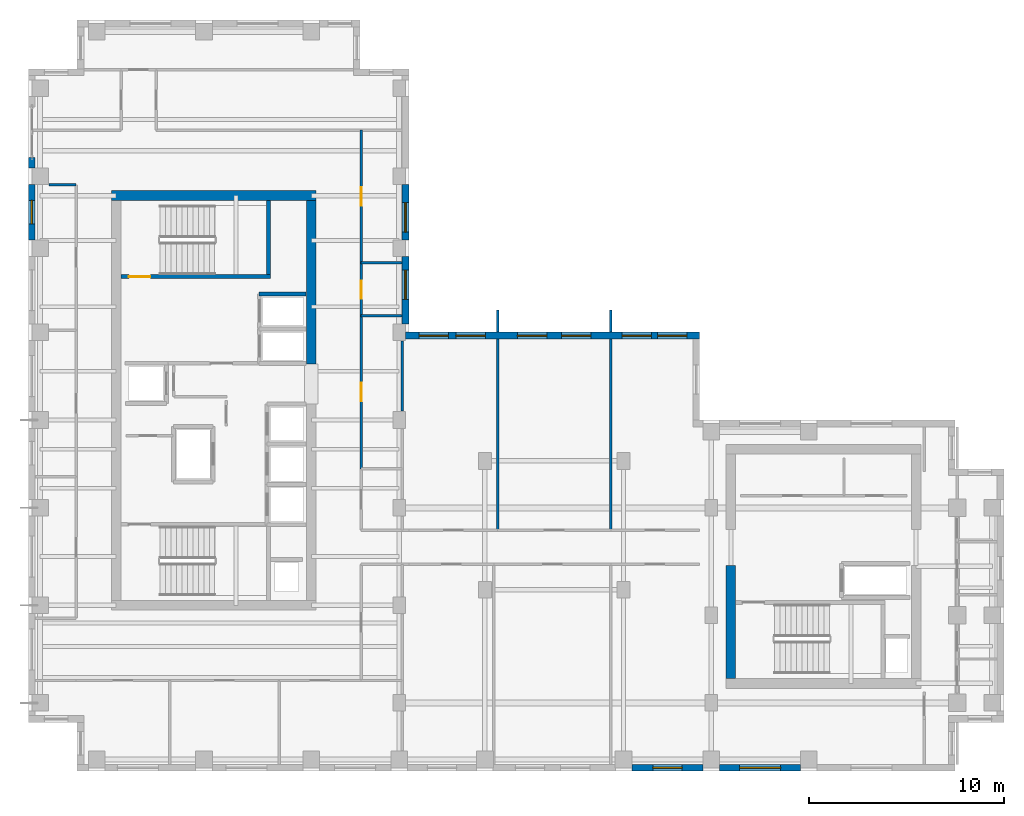
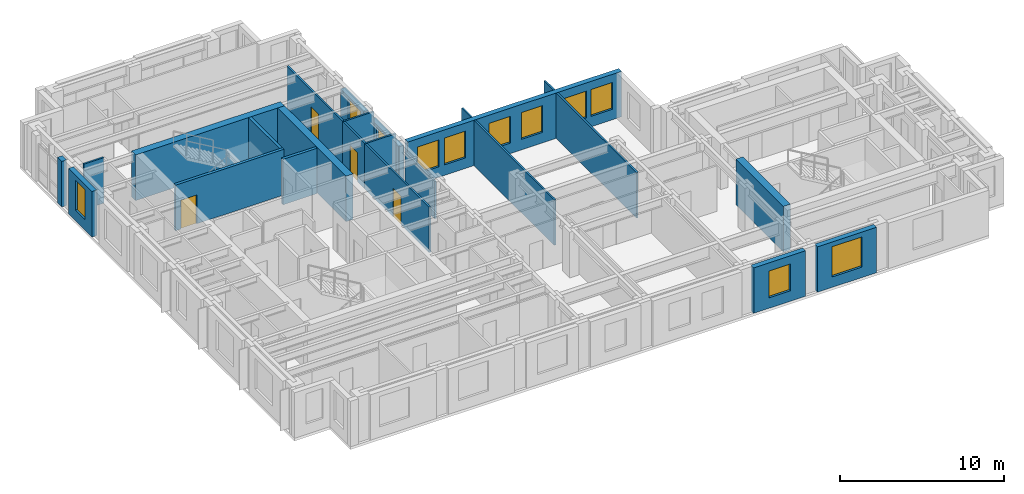
# One storey, part 8 of 13: 24 walls, 11 windows, 4 doors, 15 openings.
"""IFC4 building model written with IfcOpenShell, lengths in metres."""

from ifc_helpers import new_model, si_unit, direction, frame, frame_2d, origin, place, context, subcontext, project, spatial, rectangle, extrude, source, transform, mapped, material, layer, layer_set, type_object, element, fill, save


model = new_model("IFC4")

# Units and contexts
model_context = context("Model", 3, precision=1e-05, world=origin(), true_north=direction((0.0, 1.0)))
body_context = subcontext(model_context, "Body", "Model", "MODEL_VIEW")
ifc_project = project(units=[si_unit("LENGTHUNIT", "METRE"), si_unit("AREAUNIT", "SQUARE_METRE"), si_unit("VOLUMEUNIT", "CUBIC_METRE"), si_unit("PLANEANGLEUNIT", "RADIAN"), si_unit("MASSUNIT", "GRAM", prefix="KILO")], contexts=[model_context])

# Site, building, storey
site_placement = place(None, origin())
site = spatial("IfcSite", under=ifc_project, at=site_placement, CompositionType="ELEMENT")
building_placement = place(site_placement, origin())
building = spatial("IfcBuilding", under=site, at=building_placement, Name="Kharzan Plaza Tower", CompositionType="ELEMENT")
storey_placement = place(building_placement, frame((0.0, 0.0, 252.0)))
storey = spatial("IfcBuildingStorey", under=building, at=storey_placement, Name="L68", CompositionType="ELEMENT", Elevation=252.0)

# Wall, openings, windows
ifc_material_1 = material(Name="Concrete C40/50", Category="concrete")
ifc_layer_1 = layer(ifc_material_1, 0.35009765625)
ifc_layer_set_1 = layer_set([ifc_layer_1], Name="Concrete C40/50")
wall_type_1 = type_object("IfcWallType", Name="WL-EXT-MAS-Z4", PredefinedType="SOLIDWALL", material=ifc_layer_set_1)
wall_1_placement = place(storey_placement, frame((34.39990234375, 22.324951171875, 0.0), z_axis=(0.0, 0.0, 1.0), x_axis=(-1.0, 0.0, 0.0)))
wall_1 = element("IfcWall", 1, at=wall_1_placement, inside=storey, type_object=wall_type_1, Name="L68 Masonry-Frame Exterior Wall 01", PredefinedType="SOLIDWALL", context=body_context, shape_type="SweptSolid", body=[
    extrude(rectangle(XDim=15.076904296875, YDim=0.35009765625, at=frame_2d((7.53857421875, 0.0))), origin(), (0.0, 0.0, 1.0), 3.385009765625),
])
opening_1_placement = place(wall_1_placement, frame((0.646728515625, 0.0, 0.780029296875)))
opening_1 = element("IfcOpeningElement", 2, at=opening_1_placement, cuts=wall_1, Name="Opening W5", PredefinedType="OPENING", context=body_context, shape_type="SweptSolid", body=[
    extrude(rectangle(XDim=1.5, YDim=2.0, at=frame_2d((0.75, 1.0))), frame((0.0, 0.18505859375, 0.0), z_axis=(0.0, -1.0, 0.0), x_axis=(1.0, 0.0, 0.0)), (0.0, 0.0, 1.0), 0.3701171875),
])
opening_2_placement = place(wall_1_placement, frame((2.473388671875, 0.0, 0.780029296875)))
opening_2 = element("IfcOpeningElement", 3, at=opening_2_placement, cuts=wall_1, Name="Opening W5", PredefinedType="OPENING", context=body_context, shape_type="SweptSolid", body=[
    extrude(rectangle(XDim=1.5, YDim=2.0, at=frame_2d((0.75, 1.0))), frame((0.0, 0.18505859375, 0.0), z_axis=(0.0, -1.0, 0.0), x_axis=(1.0, 0.0, 0.0)), (0.0, 0.0, 1.0), 0.3701171875),
])
opening_3_placement = place(wall_1_placement, frame((5.566650390625, 0.0, 0.780029296875)))
opening_3 = element("IfcOpeningElement", 4, at=opening_3_placement, cuts=wall_1, Name="Opening W5", PredefinedType="OPENING", context=body_context, shape_type="SweptSolid", body=[
    extrude(rectangle(XDim=1.5, YDim=2.0, at=frame_2d((0.75, 1.0))), frame((0.0, 0.18505859375, 0.0), z_axis=(0.0, -1.0, 0.0), x_axis=(1.0, 0.0, 0.0)), (0.0, 0.0, 1.0), 0.3701171875),
])
opening_4_placement = place(wall_1_placement, frame((7.833251953125, 0.0, 0.780029296875)))
opening_4 = element("IfcOpeningElement", 5, at=opening_4_placement, cuts=wall_1, Name="Opening W5", PredefinedType="OPENING", context=body_context, shape_type="SweptSolid", body=[
    extrude(rectangle(XDim=1.5, YDim=2.0, at=frame_2d((0.75, 1.0))), frame((0.0, 0.18505859375, 0.0), z_axis=(0.0, -1.0, 0.0), x_axis=(1.0, 0.0, 0.0)), (0.0, 0.0, 1.0), 0.3701171875),
])
opening_5_placement = place(wall_1_placement, frame((10.985595703125, 0.0, 0.780029296875)))
opening_5 = element("IfcOpeningElement", 6, at=opening_5_placement, cuts=wall_1, Name="Opening W5", PredefinedType="OPENING", context=body_context, shape_type="SweptSolid", body=[
    extrude(rectangle(XDim=1.5, YDim=2.0, at=frame_2d((0.75, 1.0))), frame((0.0, 0.18505859375, 0.0), z_axis=(0.0, -1.0, 0.0), x_axis=(1.0, 0.0, 0.0)), (0.0, 0.0, 1.0), 0.3701171875),
])
opening_6_placement = place(wall_1_placement, frame((12.871337890625, 0.0, 0.780029296875)))
opening_6 = element("IfcOpeningElement", 7, at=opening_6_placement, cuts=wall_1, Name="Opening W5", PredefinedType="OPENING", context=body_context, shape_type="SweptSolid", body=[
    extrude(rectangle(XDim=1.5, YDim=2.0, at=frame_2d((0.75, 1.0))), frame((0.0, 0.18505859375, 0.0), z_axis=(0.0, -1.0, 0.0), x_axis=(1.0, 0.0, 0.0)), (0.0, 0.0, 1.0), 0.3701171875),
])
ifc_material_2 = material(Name="Low-E Double Glazing", Category="glass")
window_type_1 = type_object("IfcWindowType", Name="WN-SLT-1500x2000", PartitioningType="SINGLE_PANEL", PredefinedType="WINDOW", material=ifc_material_2)
shared_shape_1 = source(origin(), body_context, "Body", "SweptSolid", [
    extrude(rectangle(XDim=1.5, YDim=2.0, at=frame_2d((0.75, 1.0))), frame((0.0, 0.030029296875, 0.0), z_axis=(0.0, -1.0, 0.0), x_axis=(1.0, 0.0, 0.0)), (0.0, 0.0, 1.0), 0.06005859375),
])
window_1_placement = place(opening_1_placement, origin())
window_1 = element("IfcWindow", 8, at=window_1_placement, inside=storey, type_object=window_type_1, Name="L68 Recessed Solar-Control Window 01-1", OverallHeight=2.0, OverallWidth=1.5, PartitioningType="SINGLE_PANEL", PredefinedType="WINDOW", context=body_context, shape_type="MappedRepresentation", body=[
    mapped(shared_shape_1, transform((0.0, 0.0, 0.0), x_axis=(1.0, 0.0, 0.0), y_axis=(0.0, 1.0, 0.0), z_axis=(0.0, 0.0, 1.0))),
])
fill(opening_1, window_1)
window_2_placement = place(opening_2_placement, origin())
window_2 = element("IfcWindow", 9, at=window_2_placement, inside=storey, type_object=window_type_1, Name="L68 Recessed Solar-Control Window 01-2", OverallHeight=2.0, OverallWidth=1.5, PartitioningType="SINGLE_PANEL", PredefinedType="WINDOW", context=body_context, shape_type="MappedRepresentation", body=[
    mapped(shared_shape_1, transform((0.0, 0.0, 0.0), x_axis=(1.0, 0.0, 0.0), y_axis=(0.0, 1.0, 0.0), z_axis=(0.0, 0.0, 1.0))),
])
fill(opening_2, window_2)
window_3_placement = place(opening_3_placement, origin())
window_3 = element("IfcWindow", 10, at=window_3_placement, inside=storey, type_object=window_type_1, Name="L68 Recessed Solar-Control Window 01-3", OverallHeight=2.0, OverallWidth=1.5, PartitioningType="SINGLE_PANEL", PredefinedType="WINDOW", context=body_context, shape_type="MappedRepresentation", body=[
    mapped(shared_shape_1, transform((0.0, 0.0, 0.0), x_axis=(1.0, 0.0, 0.0), y_axis=(0.0, 1.0, 0.0), z_axis=(0.0, 0.0, 1.0))),
])
fill(opening_3, window_3)
window_4_placement = place(opening_4_placement, origin())
window_4 = element("IfcWindow", 11, at=window_4_placement, inside=storey, type_object=window_type_1, Name="L68 Recessed Solar-Control Window 01-4", OverallHeight=2.0, OverallWidth=1.5, PartitioningType="SINGLE_PANEL", PredefinedType="WINDOW", context=body_context, shape_type="MappedRepresentation", body=[
    mapped(shared_shape_1, transform((0.0, 0.0, 0.0), x_axis=(1.0, 0.0, 0.0), y_axis=(0.0, 1.0, 0.0), z_axis=(0.0, 0.0, 1.0))),
])
fill(opening_4, window_4)
window_5_placement = place(opening_5_placement, origin())
window_5 = element("IfcWindow", 12, at=window_5_placement, inside=storey, type_object=window_type_1, Name="L68 Recessed Solar-Control Window 01-5", OverallHeight=2.0, OverallWidth=1.5, PartitioningType="SINGLE_PANEL", PredefinedType="WINDOW", context=body_context, shape_type="MappedRepresentation", body=[
    mapped(shared_shape_1, transform((0.0, 0.0, 0.0), x_axis=(1.0, 0.0, 0.0), y_axis=(0.0, 1.0, 0.0), z_axis=(0.0, 0.0, 1.0))),
])
fill(opening_5, window_5)
window_6_placement = place(opening_6_placement, origin())
window_6 = element("IfcWindow", 13, at=window_6_placement, inside=storey, type_object=window_type_1, Name="L68 Recessed Solar-Control Window 01-6", OverallHeight=2.0, OverallWidth=1.5, PartitioningType="SINGLE_PANEL", PredefinedType="WINDOW", context=body_context, shape_type="MappedRepresentation", body=[
    mapped(shared_shape_1, transform((0.0, 0.0, 0.0), x_axis=(1.0, 0.0, 0.0), y_axis=(0.0, 1.0, 0.0), z_axis=(0.0, 0.0, 1.0))),
])
fill(opening_6, window_6)

# Wall, opening, window
wall_2_placement = place(storey_placement, frame((19.324951171875, 22.923095703125, 0.0), z_axis=(0.0, 0.0, 1.0), x_axis=(0.0, 1.0, 0.0)))
wall_2 = element("IfcWall", 14, at=wall_2_placement, inside=storey, type_object=wall_type_1, Name="L68 Masonry-Frame Exterior Wall 02", PredefinedType="SOLIDWALL", context=body_context, shape_type="SweptSolid", body=[
    extrude(rectangle(XDim=3.453857421875, YDim=0.35009765625, at=frame_2d((1.72705078125, 0.0))), origin(), (0.0, 0.0, 1.0), 2.618896484375),
])
opening_7_placement = place(wall_2_placement, frame((1.255615234375, 0.0, 0.780029296875)))
opening_7 = element("IfcOpeningElement", 15, at=opening_7_placement, cuts=wall_2, Name="Opening W5", PredefinedType="OPENING", context=body_context, shape_type="SweptSolid", body=[
    extrude(rectangle(XDim=1.5, YDim=1.658935546875, at=frame_2d((0.75, 0.82958984375))), frame((0.0, 0.18505859375, 0.0), z_axis=(0.0, -1.0, 0.0), x_axis=(1.0, 0.0, 0.0)), (0.0, 0.0, 1.0), 0.3701171875),
])
shared_shape_2 = source(origin(), body_context, "Body", "SweptSolid", [
    extrude(rectangle(XDim=1.5, YDim=1.658935546875, at=frame_2d((0.75, 0.82958984375))), frame((0.0, 0.030029296875, 0.0), z_axis=(0.0, -1.0, 0.0), x_axis=(1.0, 0.0, 0.0)), (0.0, 0.0, 1.0), 0.06005859375),
])
window_7_placement = place(opening_7_placement, origin())
window_7 = element("IfcWindow", 16, at=window_7_placement, inside=storey, type_object=window_type_1, Name="L68 Recessed Solar-Control Window 02-1", OverallHeight=1.658935546875, OverallWidth=1.5, PartitioningType="SINGLE_PANEL", PredefinedType="WINDOW", context=body_context, shape_type="MappedRepresentation", body=[
    mapped(shared_shape_2, transform((0.0, 0.0, 0.0), x_axis=(1.0, 0.0, 0.0), y_axis=(0.0, 1.0, 0.0), z_axis=(0.0, 0.0, 1.0))),
])
fill(opening_7, window_7)

wall_3_placement = place(storey_placement, frame((19.324951171875, 27.222900390625, 0.0), z_axis=(0.0, 0.0, 1.0), x_axis=(0.0, 1.0, 0.0)))
wall_3 = element("IfcWall", 17, at=wall_3_placement, inside=storey, type_object=wall_type_1, Name="L68 Masonry-Frame Exterior Wall 03", PredefinedType="SOLIDWALL", context=body_context, shape_type="SweptSolid", body=[
    extrude(rectangle(XDim=2.85400390625, YDim=0.35009765625, at=frame_2d((1.427001953125, 0.0))), origin(), (0.0, 0.0, 1.0), 2.618896484375),
])
opening_8_placement = place(wall_3_placement, frame((0.411376953125, 0.0, 0.780029296875)))
opening_8 = element("IfcOpeningElement", 18, at=opening_8_placement, cuts=wall_3, Name="Opening W5", PredefinedType="OPENING", context=body_context, shape_type="SweptSolid", body=[
    extrude(rectangle(XDim=1.5, YDim=1.658935546875, at=frame_2d((0.75, 0.82958984375))), frame((0.0, 0.18505859375, 0.0), z_axis=(0.0, -1.0, 0.0), x_axis=(1.0, 0.0, 0.0)), (0.0, 0.0, 1.0), 0.3701171875),
])
window_8_placement = place(opening_8_placement, origin())
window_8 = element("IfcWindow", 19, at=window_8_placement, inside=storey, type_object=window_type_1, Name="L68 Recessed Solar-Control Window 03-1", OverallHeight=1.658935546875, OverallWidth=1.5, PartitioningType="SINGLE_PANEL", PredefinedType="WINDOW", context=body_context, shape_type="MappedRepresentation", body=[
    mapped(shared_shape_2, transform((0.0, 0.0, 0.0), x_axis=(1.0, 0.0, 0.0), y_axis=(0.0, 1.0, 0.0), z_axis=(0.0, 0.0, 1.0))),
])
fill(opening_8, window_8)

wall_4_placement = place(storey_placement, frame((0.175048828125, 30.076904296875, 0.0), z_axis=(0.0, 0.0, 1.0), x_axis=(0.0, -1.0, 0.0)))
wall_4 = element("IfcWall", 20, at=wall_4_placement, inside=storey, type_object=wall_type_1, Name="L68 Masonry-Frame Exterior Wall 17", PredefinedType="SOLIDWALL", context=body_context, shape_type="SweptSolid", body=[
    extrude(rectangle(XDim=2.85400390625, YDim=0.35009765625, at=frame_2d((1.427001953125, 0.0))), origin(), (0.0, 0.0, 1.0), 3.385009765625),
])
opening_9_placement = place(wall_4_placement, frame((0.826904296875, 0.0, 0.780029296875)))
opening_9 = element("IfcOpeningElement", 21, at=opening_9_placement, cuts=wall_4, Name="Opening W3", PredefinedType="OPENING", context=body_context, shape_type="SweptSolid", body=[
    extrude(rectangle(XDim=1.199951171875, YDim=2.25, at=frame_2d((0.60009765625, 1.125))), frame((0.0, 0.18505859375, 0.0), z_axis=(0.0, -1.0, 0.0), x_axis=(1.0, 0.0, 0.0)), (0.0, 0.0, 1.0), 0.3701171875),
])
window_type_2 = type_object("IfcWindowType", Name="WN-REC-1200x2100", PartitioningType="SINGLE_PANEL", PredefinedType="WINDOW", material=ifc_material_2)
shared_shape_3 = source(origin(), body_context, "Body", "SweptSolid", [
    extrude(rectangle(XDim=1.199951171875, YDim=2.25, at=frame_2d((0.60009765625, 1.125))), frame((0.0, 0.030029296875, 0.0), z_axis=(0.0, -1.0, 0.0), x_axis=(1.0, 0.0, 0.0)), (0.0, 0.0, 1.0), 0.06005859375),
])
window_9_placement = place(opening_9_placement, origin())
window_9 = element("IfcWindow", 22, at=window_9_placement, inside=storey, type_object=window_type_2, Name="L68 Recessed Solar-Control Window 17-1", OverallHeight=2.25, OverallWidth=1.199951171875, PartitioningType="SINGLE_PANEL", PredefinedType="WINDOW", context=body_context, shape_type="MappedRepresentation", body=[
    mapped(shared_shape_3, transform((0.0, 0.0, 0.0), x_axis=(1.0, 0.0, 0.0), y_axis=(0.0, 1.0, 0.0), z_axis=(0.0, 0.0, 1.0))),
])
fill(opening_9, window_9)

wall_5_placement = place(storey_placement, frame((30.923095703125, 0.175048828125, 0.0), z_axis=(0.0, 0.0, 1.0), x_axis=(1.0, 0.0, 0.0)))
wall_5 = element("IfcWall", 23, at=wall_5_placement, inside=storey, type_object=wall_type_1, Name="L68 Masonry-Frame Exterior Wall 32", PredefinedType="SOLIDWALL", context=body_context, shape_type="SweptSolid", body=[
    extrude(rectangle(XDim=3.65380859375, YDim=0.35009765625, at=frame_2d((1.826904296875, 0.0))), origin(), (0.0, 0.0, 1.0), 3.385009765625),
])
opening_10_placement = place(wall_5_placement, frame((1.076904296875, 0.0, 0.780029296875)))
opening_10 = element("IfcOpeningElement", 24, at=opening_10_placement, cuts=wall_5, Name="Opening W5", PredefinedType="OPENING", context=body_context, shape_type="SweptSolid", body=[
    extrude(rectangle(XDim=1.5, YDim=2.0, at=frame_2d((0.75, 1.0))), frame((0.0, 0.18505859375, 0.0), z_axis=(0.0, -1.0, 0.0), x_axis=(1.0, 0.0, 0.0)), (0.0, 0.0, 1.0), 0.3701171875),
])
window_10_placement = place(opening_10_placement, origin())
window_10 = element("IfcWindow", 25, at=window_10_placement, inside=storey, type_object=window_type_1, Name="L68 Recessed Solar-Control Window 32-1", OverallHeight=2.0, OverallWidth=1.5, PartitioningType="SINGLE_PANEL", PredefinedType="WINDOW", context=body_context, shape_type="MappedRepresentation", body=[
    mapped(shared_shape_1, transform((0.0, 0.0, 0.0), x_axis=(1.0, 0.0, 0.0), y_axis=(0.0, 1.0, 0.0), z_axis=(0.0, 0.0, 1.0))),
])
fill(opening_10, window_10)

wall_6_placement = place(storey_placement, frame((35.423095703125, 0.175048828125, 0.0), z_axis=(0.0, 0.0, 1.0), x_axis=(1.0, 0.0, 0.0)))
wall_6 = element("IfcWall", 26, at=wall_6_placement, inside=storey, type_object=wall_type_1, Name="L68 Masonry-Frame Exterior Wall 33", PredefinedType="SOLIDWALL", context=body_context, shape_type="SweptSolid", body=[
    extrude(rectangle(XDim=4.15380859375, YDim=0.35009765625, at=frame_2d((2.076904296875, 0.0))), origin(), (0.0, 0.0, 1.0), 3.385009765625),
])
opening_11_placement = place(wall_6_placement, frame((1.027099609375, 0.0, 0.780029296875)))
opening_11 = element("IfcOpeningElement", 27, at=opening_11_placement, cuts=wall_6, Name="Opening W6", PredefinedType="OPENING", context=body_context, shape_type="SweptSolid", body=[
    extrude(rectangle(XDim=2.10009765625, YDim=2.25, at=frame_2d((1.050048828125, 1.125))), frame((0.0, 0.18505859375, 0.0), z_axis=(0.0, -1.0, 0.0), x_axis=(1.0, 0.0, 0.0)), (0.0, 0.0, 1.0), 0.3701171875),
])
window_type_3 = type_object("IfcWindowType", Name="WN-EXEC-2100x2250", PartitioningType="SINGLE_PANEL", PredefinedType="WINDOW", material=ifc_material_2)
shared_shape_4 = source(origin(), body_context, "Body", "SweptSolid", [
    extrude(rectangle(XDim=2.10009765625, YDim=2.25, at=frame_2d((1.050048828125, 1.125))), frame((0.0, 0.030029296875, 0.0), z_axis=(0.0, -1.0, 0.0), x_axis=(1.0, 0.0, 0.0)), (0.0, 0.0, 1.0), 0.06005859375),
])
window_11_placement = place(opening_11_placement, origin())
window_11 = element("IfcWindow", 28, at=window_11_placement, inside=storey, type_object=window_type_3, Name="L68 Recessed Solar-Control Window 33-1", OverallHeight=2.25, OverallWidth=2.10009765625, PartitioningType="SINGLE_PANEL", PredefinedType="WINDOW", context=body_context, shape_type="MappedRepresentation", body=[
    mapped(shared_shape_4, transform((0.0, 0.0, 0.0), x_axis=(1.0, 0.0, 0.0), y_axis=(0.0, 1.0, 0.0), z_axis=(0.0, 0.0, 1.0))),
])
fill(opening_11, window_11)

# Wall, opening, door
ifc_material_3 = material(Name="Fire-Rated Gypsum Board Partition", Category="gypsum")
ifc_layer_2 = layer(ifc_material_3, 0.125)
ifc_layer_set_2 = layer_set([ifc_layer_2], Name="Fire-Rated Gypsum Board Partition")
wall_type_2 = type_object("IfcWallType", Name="WL-INT-PART-125", PredefinedType="PARTITIONING", material=ifc_layer_set_2)
wall_7_placement = place(storey_placement, frame((17.050048828125, 15.5, 0.0), z_axis=(0.0, 0.0, 1.0), x_axis=(0.0, 1.0, 0.0)))
wall_7 = element("IfcWall", 29, at=wall_7_placement, inside=storey, type_object=wall_type_2, Name="L68 Interior Partition SH-AEWN2", PredefinedType="PARTITIONING", context=body_context, shape_type="SweptSolid", body=[
    extrude(rectangle(XDim=7.85009765625, YDim=0.125, at=frame_2d((3.925048828125, 0.0))), origin(), (0.0, 0.0, 1.0), 3.385009765625),
])
opening_12_placement = place(wall_7_placement, frame((3.449951171875, 0.0, 0.0)))
opening_12 = element("IfcOpeningElement", 30, at=opening_12_placement, cuts=wall_7, Name="Opening OD1", PredefinedType="OPENING", context=body_context, shape_type="SweptSolid", body=[
    extrude(rectangle(XDim=0.949951171875, YDim=2.14990234375, at=frame_2d((0.47509765625, 1.074951171875))), frame((0.0, 0.072509765625, 0.0), z_axis=(0.0, -1.0, 0.0), x_axis=(1.0, 0.0, 0.0)), (0.0, 0.0, 1.0), 0.14501953125),
])
ifc_material_4 = material(Name="Acoustic Solid-Core Stained Oak", Category="timber")
door_type_1 = type_object("IfcDoorType", Name="DR-OFF-SINGLE", OperationType="NOTDEFINED", PredefinedType="DOOR", material=ifc_material_4)
shared_shape_5 = source(origin(), body_context, "Body", "SweptSolid", [
    extrude(rectangle(XDim=0.949951171875, YDim=2.14990234375, at=frame_2d((0.47509765625, 1.074951171875))), frame((0.0, 0.02490234375, 0.0), z_axis=(0.0, -1.0, 0.0), x_axis=(1.0, 0.0, 0.0)), (0.0, 0.0, 1.0), 0.050048828125),
])
door_1_placement = place(opening_12_placement, origin())
door_1 = element("IfcDoor", 31, at=door_1_placement, inside=storey, type_object=door_type_1, Name="L68 Slot Studio Door", OperationType="SINGLE_SWING_RIGHT", OverallHeight=2.14990234375, OverallWidth=0.949951171875, PredefinedType="DOOR", context=body_context, shape_type="MappedRepresentation", body=[
    mapped(shared_shape_5, transform((0.0, 0.0, 0.0), x_axis=(1.0, 0.0, 0.0), y_axis=(0.0, 1.0, 0.0), z_axis=(0.0, 0.0, 1.0))),
])
fill(opening_12, door_1)

wall_8_placement = place(storey_placement, frame((17.050048828125, 26.050048828125, 0.0), z_axis=(0.0, 0.0, 1.0), x_axis=(0.0, 1.0, 0.0)))
wall_8 = element("IfcWall", 32, at=wall_8_placement, inside=storey, type_object=wall_type_2, Name="L68 Interior Partition SH-AEWN3", PredefinedType="PARTITIONING", context=body_context, shape_type="SweptSolid", body=[
    extrude(rectangle(XDim=6.800048828125, YDim=0.125, at=frame_2d((3.39990234375, 0.0))), origin(), (0.0, 0.0, 1.0), 3.385009765625),
])
opening_13_placement = place(wall_8_placement, frame((2.925048828125, 0.0, 0.0)))
opening_13 = element("IfcOpeningElement", 33, at=opening_13_placement, cuts=wall_8, Name="Opening OD1", PredefinedType="OPENING", context=body_context, shape_type="SweptSolid", body=[
    extrude(rectangle(XDim=0.949951171875, YDim=2.14990234375, at=frame_2d((0.47509765625, 1.074951171875))), frame((0.0, 0.072509765625, 0.0), z_axis=(0.0, -1.0, 0.0), x_axis=(1.0, 0.0, 0.0)), (0.0, 0.0, 1.0), 0.14501953125),
])
door_2_placement = place(opening_13_placement, origin())
door_2 = element("IfcDoor", 34, at=door_2_placement, inside=storey, type_object=door_type_1, Name="L68 Staff Tea Point Door", OperationType="SINGLE_SWING_RIGHT", OverallHeight=2.14990234375, OverallWidth=0.949951171875, PredefinedType="DOOR", context=body_context, shape_type="MappedRepresentation", body=[
    mapped(shared_shape_5, transform((0.0, 0.0, 0.0), x_axis=(1.0, 0.0, 0.0), y_axis=(0.0, 1.0, 0.0), z_axis=(0.0, 0.0, 1.0))),
])
fill(opening_13, door_2)

wall_9_placement = place(storey_placement, frame((17.050048828125, 23.35009765625, 0.0), z_axis=(0.0, 0.0, 1.0), x_axis=(0.0, 1.0, 0.0)))
wall_9 = element("IfcWall", 35, at=wall_9_placement, inside=storey, type_object=wall_type_2, Name="L68 Interior Partition SH-AEWW", PredefinedType="PARTITIONING", context=body_context, shape_type="SweptSolid", body=[
    extrude(rectangle(XDim=2.699951171875, YDim=0.125, at=frame_2d((1.35009765625, 0.0))), origin(), (0.0, 0.0, 1.0), 3.385009765625),
])
opening_14_placement = place(wall_9_placement, frame((0.875, 0.0, 0.0)))
opening_14 = element("IfcOpeningElement", 36, at=opening_14_placement, cuts=wall_9, Name="Opening WD1", PredefinedType="OPENING", context=body_context, shape_type="SweptSolid", body=[
    extrude(rectangle(XDim=0.89990234375, YDim=2.14990234375, at=frame_2d((0.449951171875, 1.074951171875))), frame((0.0, 0.072509765625, 0.0), z_axis=(0.0, -1.0, 0.0), x_axis=(1.0, 0.0, 0.0)), (0.0, 0.0, 1.0), 0.14501953125),
])
ifc_material_5 = material(Name="Moisture-Resistant Fire-Rated Laminate", Category="timber")
door_type_2 = type_object("IfcDoorType", Name="DR-WC-900", OperationType="NOTDEFINED", PredefinedType="DOOR", material=ifc_material_5)
shared_shape_6 = source(origin(), body_context, "Body", "SweptSolid", [
    extrude(rectangle(XDim=0.89990234375, YDim=2.14990234375, at=frame_2d((0.449951171875, 1.074951171875))), frame((0.0, 0.02490234375, 0.0), z_axis=(0.0, -1.0, 0.0), x_axis=(1.0, 0.0, 0.0)), (0.0, 0.0, 1.0), 0.050048828125),
])
door_3_placement = place(opening_14_placement, origin())
door_3 = element("IfcDoor", 37, at=door_3_placement, inside=storey, type_object=door_type_2, Name="L68 Wing A Washroom Door", OperationType="SINGLE_SWING_LEFT", OverallHeight=2.14990234375, OverallWidth=0.89990234375, PredefinedType="DOOR", context=body_context, shape_type="MappedRepresentation", body=[
    mapped(shared_shape_6, transform((0.0, 0.0, 0.0), x_axis=(1.0, 0.0, 0.0), y_axis=(0.0, 1.0, 0.0), z_axis=(0.0, 0.0, 1.0))),
])
fill(opening_14, door_3)

ifc_material_6 = material(Name="Concrete C50/60", Category="concrete")
ifc_layer_3 = layer(ifc_material_6, 0.199951171875)
ifc_layer_set_3 = layer_set([ifc_layer_3], Name="Concrete C50/60")
wall_type_3 = type_object("IfcWallType", Name="WL-SHAFT-RC200", PredefinedType="SHEAR", material=ifc_layer_set_3)
wall_10_placement = place(storey_placement, frame((4.751953125, 25.344970703125, 0.0), z_axis=(0.0, 0.0, 1.0), x_axis=(1.0, 0.0, 0.0)))
wall_10 = element("IfcWall", 38, at=wall_10_placement, inside=storey, type_object=wall_type_3, Name="L68 Stair ST-2 South RC Shaft Wall", PredefinedType="SHEAR", context=body_context, shape_type="SweptSolid", body=[
    extrude(rectangle(XDim=7.653076171875, YDim=0.199951171875, at=frame_2d((3.82666015625, 0.0))), origin(), (0.0, 0.0, 1.0), 3.39990234375),
])
opening_15_placement = place(wall_10_placement, frame((0.39990234375, 0.0, 0.0)))
opening_15 = element("IfcOpeningElement", 39, at=opening_15_placement, cuts=wall_10, Name="Opening SD1", PredefinedType="OPENING", context=body_context, shape_type="SweptSolid", body=[
    extrude(rectangle(XDim=1.10009765625, YDim=2.14990234375, at=frame_2d((0.550048828125, 1.074951171875))), frame((0.0, 0.10986328125, 0.0), z_axis=(0.0, -1.0, 0.0), x_axis=(1.0, 0.0, 0.0)), (0.0, 0.0, 1.0), 0.219970703125),
])
ifc_material_7 = material(Name="Fire-Rated Hollow Galvanized Steel", Category="steel")
door_type_3 = type_object("IfcDoorType", Name="DR-STAIR-FD120", OperationType="NOTDEFINED", PredefinedType="DOOR", material=ifc_material_7)
shared_shape_7 = source(origin(), body_context, "Body", "SweptSolid", [
    extrude(rectangle(XDim=1.10009765625, YDim=2.14990234375, at=frame_2d((0.550048828125, 1.074951171875))), frame((0.0, 0.02490234375, 0.0), z_axis=(0.0, -1.0, 0.0), x_axis=(1.0, 0.0, 0.0)), (0.0, 0.0, 1.0), 0.050048828125),
])
door_4_placement = place(opening_15_placement, origin())
door_4 = element("IfcDoor", 40, at=door_4_placement, inside=storey, type_object=door_type_3, Name="L68 Stair ST-2 Fire Exit Door", OperationType="SINGLE_SWING_LEFT", OverallHeight=2.14990234375, OverallWidth=1.10009765625, PredefinedType="DOOR", context=body_context, shape_type="MappedRepresentation", body=[
    mapped(shared_shape_7, transform((0.0, 0.0, 0.0), x_axis=(1.0, 0.0, 0.0), y_axis=(0.0, 1.0, 0.0), z_axis=(0.0, 0.0, 1.0))),
])
fill(opening_15, door_4)

# Walls
shared_shape_8 = source(origin(), body_context, "Body", "SweptSolid", [
    extrude(rectangle(XDim=2.097900390625, YDim=0.125, at=frame_2d((1.048828125, 0.0))), origin(), (0.0, 0.0, 1.0), 3.385009765625),
])
for number, where, z_axis, x_axis, name in (
    (41, (17.050048828125, 23.35009765625, 0.0), (0.0, 0.0, 1.0), (1.0, 0.0, 0.0), "L68 Interior Partition SH-AEH-233"),
    (42, (17.050048828125, 26.050048828125, 0.0), (0.0, 0.0, 1.0), (1.0, 0.0, 0.0), "L68 Interior Partition SH-AEH-260"),
):
    element("IfcWall", number, at=place(storey_placement, frame(where, z_axis=z_axis, x_axis=x_axis)), inside=storey, type_object=wall_type_2, Name=name, PredefinedType="PARTITIONING", context=body_context, shape_type="MappedRepresentation", body=[
        mapped(shared_shape_8, transform((0.0, 0.0, 0.0), x_axis=(1.0, 0.0, 0.0), y_axis=(0.0, 1.0, 0.0), z_axis=(0.0, 0.0, 1.0))),
    ])
shared_shape_9 = source(origin(), body_context, "Body", "SweptSolid", [
    extrude(rectangle(XDim=0.52685546875, YDim=0.35009765625, at=frame_2d((0.263427734375, 0.0))), origin(), (0.0, 0.0, 1.0), 3.385009765625),
])
wall_11_placement = place(storey_placement, frame((0.175048828125, 31.449951171875, 0.0), z_axis=(0.0, 0.0, 1.0), x_axis=(0.0, -1.0, 0.0)))
element("IfcWall", 43, at=wall_11_placement, inside=storey, type_object=wall_type_1, Name="L68 Masonry-Frame Exterior Wall 16", PredefinedType="SOLIDWALL", context=body_context, shape_type="MappedRepresentation", body=[
    mapped(shared_shape_9, transform((0.0, 0.0, 0.0), x_axis=(1.0, 0.0, 0.0), y_axis=(0.0, 1.0, 0.0), z_axis=(0.0, 0.0, 1.0))),
])
ifc_layer_4 = layer(ifc_material_1, 0.199951171875)
ifc_layer_set_4 = layer_set([ifc_layer_4], Name="Concrete C40/50")
wall_type_4 = type_object("IfcWallType", Name="WL-INT-SHAFT-200", PredefinedType="PARTITIONING", material=ifc_layer_set_4)
shared_shape_10 = source(origin(), body_context, "Body", "SweptSolid", [
    extrude(rectangle(XDim=2.389892578125, YDim=0.199951171875, at=frame_2d((1.19482421875, 0.0))), origin(), (0.0, 0.0, 1.0), 3.385009765625),
])
wall_12_placement = place(storey_placement, frame((11.830078125, 24.4599609375, 0.0), z_axis=(0.0, 0.0, 1.0), x_axis=(1.0, 0.0, 0.0)))
element("IfcWall", 44, at=wall_12_placement, inside=storey, type_object=wall_type_4, Name="L68 Interior Partition SHF-FFL-2-N", PredefinedType="PARTITIONING", context=body_context, shape_type="MappedRepresentation", body=[
    mapped(shared_shape_10, transform((0.0, 0.0, 0.0), x_axis=(1.0, 0.0, 0.0), y_axis=(0.0, 1.0, 0.0), z_axis=(0.0, 0.0, 1.0))),
])
ifc_layer_5 = layer(ifc_material_6, 0.5)
ifc_layer_set_5 = layer_set([ifc_layer_5], Name="Concrete C50/60")
wall_type_5 = type_object("IfcWallType", Name="WL-CORE-500", PredefinedType="SHEAR", material=ifc_layer_set_5)
shared_shape_11 = source(origin(), body_context, "Body", "SweptSolid", [
    extrude(rectangle(XDim=8.3701171875, YDim=0.5, at=frame_2d((4.18505859375, 0.0))), origin(), (0.0, 0.0, 1.0), 3.39990234375),
])
wall_13_placement = place(storey_placement, frame((14.5, 20.8798828125, 0.0), z_axis=(0.0, 0.0, 1.0), x_axis=(0.0, 1.0, 0.0)))
element("IfcWall", 45, at=wall_13_placement, inside=storey, type_object=wall_type_5, Name="L68 CORE-A east shear pier 2", PredefinedType="SHEAR", context=body_context, shape_type="MappedRepresentation", body=[
    mapped(shared_shape_11, transform((0.0, 0.0, 0.0), x_axis=(1.0, 0.0, 0.0), y_axis=(0.0, 1.0, 0.0), z_axis=(0.0, 0.0, 1.0))),
])
shared_shape_12 = source(origin(), body_context, "Body", "SweptSolid", [
    extrude(rectangle(XDim=10.5, YDim=0.5, at=frame_2d((5.25, 0.0))), origin(), (0.0, 0.0, 1.0), 3.39990234375),
])
wall_14_placement = place(storey_placement, frame((4.25, 29.5, 0.0), z_axis=(0.0, 0.0, 1.0), x_axis=(1.0, 0.0, 0.0)))
element("IfcWall", 46, at=wall_14_placement, inside=storey, type_object=wall_type_5, Name="L68 CORE-A north RC shear wall", PredefinedType="SHEAR", context=body_context, shape_type="MappedRepresentation", body=[
    mapped(shared_shape_12, transform((0.0, 0.0, 0.0), x_axis=(1.0, 0.0, 0.0), y_axis=(0.0, 1.0, 0.0), z_axis=(0.0, 0.0, 1.0))),
])
shared_shape_13 = source(origin(), body_context, "Body", "SweptSolid", [
    extrude(rectangle(XDim=5.800048828125, YDim=0.5, at=frame_2d((2.89990234375, 0.0))), origin(), (0.0, 0.0, 1.0), 3.39990234375),
])
wall_15_placement = place(storey_placement, frame((36.0, 4.75, 0.0), z_axis=(0.0, 0.0, 1.0), x_axis=(0.0, 1.0, 0.0)))
element("IfcWall", 47, at=wall_15_placement, inside=storey, type_object=wall_type_5, Name="L68 CORE-B west shear pier 1", PredefinedType="SHEAR", context=body_context, shape_type="MappedRepresentation", body=[
    mapped(shared_shape_13, transform((0.0, 0.0, 0.0), x_axis=(1.0, 0.0, 0.0), y_axis=(0.0, 1.0, 0.0), z_axis=(0.0, 0.0, 1.0))),
])
shared_shape_14 = source(origin(), body_context, "Body", "SweptSolid", [
    extrude(rectangle(XDim=3.60009765625, YDim=0.125, at=frame_2d((1.800048828125, 0.0))), origin(), (0.0, 0.0, 1.0), 2.77294921875),
])
wall_16_placement = place(storey_placement, frame((19.14990234375, 18.449951171875, 0.0), z_axis=(0.0, 0.0, 1.0), x_axis=(0.0, 1.0, 0.0)))
element("IfcWall", 48, at=wall_16_placement, inside=storey, type_object=wall_type_2, Name="L68 Interior Partition SH-AEN-DIV-S3", PredefinedType="PARTITIONING", context=body_context, shape_type="MappedRepresentation", body=[
    mapped(shared_shape_14, transform((0.0, 0.0, 0.0), x_axis=(1.0, 0.0, 0.0), y_axis=(0.0, 1.0, 0.0), z_axis=(0.0, 0.0, 1.0))),
])
shared_shape_15 = source(origin(), body_context, "Body", "SweptSolid", [
    extrude(rectangle(XDim=1.39990234375, YDim=0.125, at=frame_2d((0.699951171875, 0.0))), origin(), (0.0, 0.0, 1.0), 3.385009765625),
])
wall_17_placement = place(storey_placement, frame((1.050048828125, 30.050048828125, 0.0), z_axis=(0.0, 0.0, 1.0), x_axis=(1.0, 0.0, 0.0)))
element("IfcWall", 49, at=wall_17_placement, inside=storey, type_object=wall_type_2, Name="L68 Interior Partition SH-RWN0", PredefinedType="PARTITIONING", context=body_context, shape_type="MappedRepresentation", body=[
    mapped(shared_shape_15, transform((0.0, 0.0, 0.0), x_axis=(1.0, 0.0, 0.0), y_axis=(0.0, 1.0, 0.0), z_axis=(0.0, 0.0, 1.0))),
])
shared_shape_16 = source(origin(), body_context, "Body", "SweptSolid", [
    extrude(rectangle(XDim=3.802978515625, YDim=0.199951171875, at=frame_2d((1.9013671875, 0.0))), origin(), (0.0, 0.0, 1.0), 3.39990234375),
])
wall_18_placement = place(storey_placement, frame((12.304931640625, 25.445068359375, 0.0), z_axis=(0.0, 0.0, 1.0), x_axis=(0.0, 1.0, 0.0)))
element("IfcWall", 50, at=wall_18_placement, inside=storey, type_object=wall_type_3, Name="L68 Stair ST-2 East RC Shaft Wall", PredefinedType="SHEAR", context=body_context, shape_type="MappedRepresentation", body=[
    mapped(shared_shape_16, transform((0.0, 0.0, 0.0), x_axis=(1.0, 0.0, 0.0), y_axis=(0.0, 1.0, 0.0), z_axis=(0.0, 0.0, 1.0))),
])
shared_shape_17 = source(origin(), body_context, "Body", "SweptSolid", [
    extrude(rectangle(XDim=9.7978515625, YDim=0.125, at=frame_2d((4.89892578125, 0.0))), origin(), (0.0, 0.0, 1.0), 3.385009765625),
])
for number, where, z_axis, x_axis, name in (
    (51, (24.050048828125, 12.35009765625, 0.0), (0.0, 0.0, 1.0), (0.0, 1.0, 0.0), "L68 Interior Partition SH-SPML-S1"),
    (52, (29.85009765625, 12.35009765625, 0.0), (0.0, 0.0, 1.0), (0.0, 1.0, 0.0), "L68 Interior Partition SH-SPMR-S1"),
):
    element("IfcWall", number, at=place(storey_placement, frame(where, z_axis=z_axis, x_axis=x_axis)), inside=storey, type_object=wall_type_2, Name=name, PredefinedType="PARTITIONING", context=body_context, shape_type="MappedRepresentation", body=[
        mapped(shared_shape_17, transform((0.0, 0.0, 0.0), x_axis=(1.0, 0.0, 0.0), y_axis=(0.0, 1.0, 0.0), z_axis=(0.0, 0.0, 1.0))),
    ])
shared_shape_18 = source(origin(), body_context, "Body", "SweptSolid", [
    extrude(rectangle(XDim=1.14794921875, YDim=0.125, at=frame_2d((0.573974609375, 0.0))), origin(), (0.0, 0.0, 1.0), 3.385009765625),
])
for number, where, z_axis, x_axis, name in (
    (53, (24.050048828125, 22.501953125, 0.0), (0.0, 0.0, 1.0), (0.0, 1.0, 0.0), "L68 Interior Partition SH-SPML-S2"),
    (54, (29.85009765625, 22.501953125, 0.0), (0.0, 0.0, 1.0), (0.0, 1.0, 0.0), "L68 Interior Partition SH-SPMR-S2"),
):
    element("IfcWall", number, at=place(storey_placement, frame(where, z_axis=z_axis, x_axis=x_axis)), inside=storey, type_object=wall_type_2, Name=name, PredefinedType="PARTITIONING", context=body_context, shape_type="MappedRepresentation", body=[
        mapped(shared_shape_18, transform((0.0, 0.0, 0.0), x_axis=(1.0, 0.0, 0.0), y_axis=(0.0, 1.0, 0.0), z_axis=(0.0, 0.0, 1.0))),
    ])

save(model, "model.ifc")
